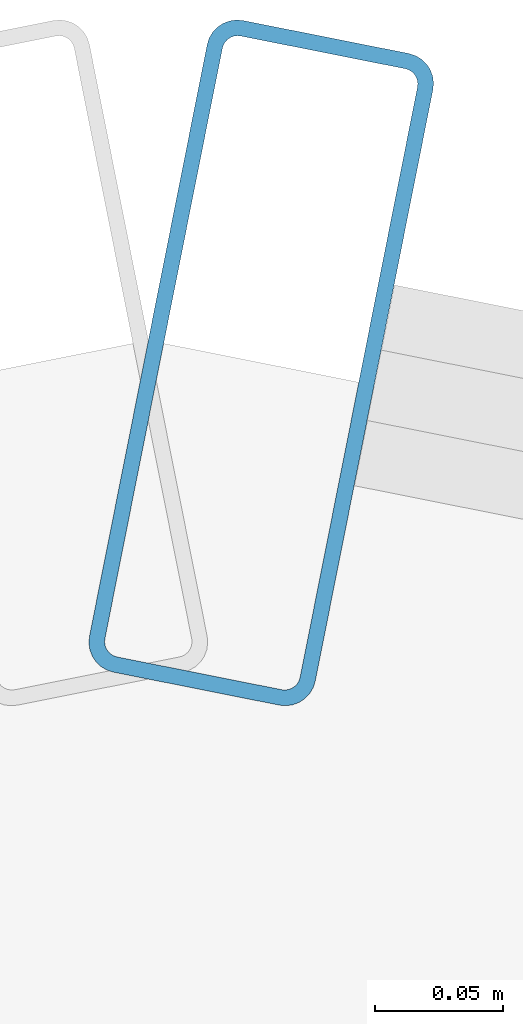
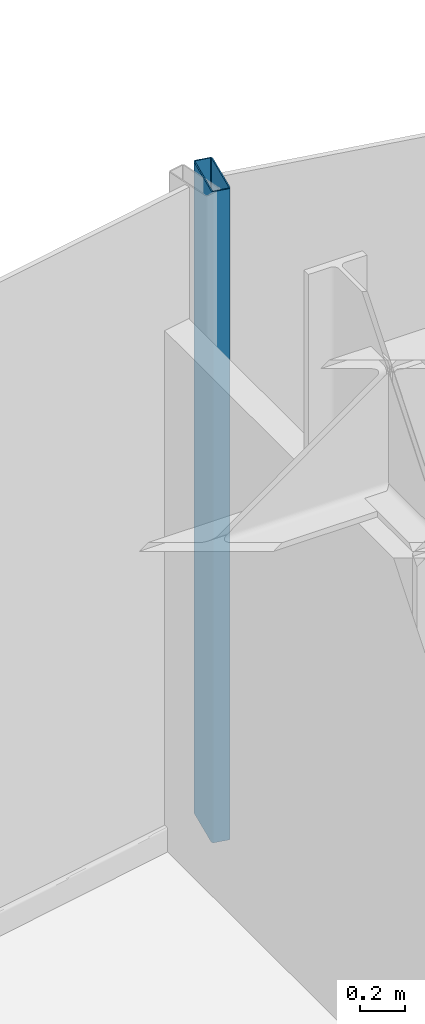
# One storey, part 15 of 25: 1 member, 1 element without a shape of its own.
"""IFC4 building model written with IfcOpenShell, lengths in metres."""

import ifcopenshell
import ifcopenshell.guid

model = None  # the IFC model being written
_history = None  # IfcOwnerHistory: only IFC2X3 demands one
_inside = {}  # id of a spatial element -> (the spatial element, [elements in it])
_under = {}  # id of a project, library or spatial element -> (it, [spatial elements below it])
_declared = {}  # id of a project -> (the project, [libraries it declares])
_typed = {}  # id of a type object -> (the type object, [elements of that type])
_made_of = {}  # id of a material, layer set ... -> (it, [elements and type objects made of it])


def new_model(schema):
    """Start an empty IFC model of exactly this schema.

    Asked for "IFC4X3", IfcOpenShell would pick the latest addendum, in which some entities
    have other attributes; the version numbers below select the first issue.
    IFC2X3 requires an IfcOwnerHistory on every rooted entity: one is made here for all.
    """
    global model, _history
    if schema == "IFC4X3":
        model = ifcopenshell.file(schema_version=(4, 3, 0, 0))
    else:
        model = ifcopenshell.file(schema=schema)
    _inside.clear()
    _under.clear()
    _declared.clear()
    _typed.clear()
    _made_of.clear()
    _history = None
    if model.schema == "IFC2X3":
        org = make("IfcOrganization", Name="unknown")
        user = make(
            "IfcPersonAndOrganization",
            ThePerson=make("IfcPerson", FamilyName="unknown"),
            TheOrganization=org,
        )
        app = make(
            "IfcApplication",
            ApplicationDeveloper=org,
            Version="unknown",
            ApplicationFullName="unknown",
            ApplicationIdentifier="unknown",
        )
        _history = make(
            "IfcOwnerHistory",
            OwningUser=user,
            OwningApplication=app,
            ChangeAction="ADDED",
            CreationDate=0,
        )
    return model


def make(cls, **values):
    """One entity of the class cls with the attributes given. An attribute that is None is left unset."""
    return model.create_entity(
        cls, **{name: value for name, value in values.items() if value is not None}
    )


def rooted(cls, **values):
    """An entity with a GlobalId (a new one), such as an element, a storey or a relation."""
    return make(cls, GlobalId=ifcopenshell.guid.new(), OwnerHistory=_history, **values)


def si_unit(unit_type, name, prefix=None):
    """IfcSIUnit, for example si_unit("LENGTHUNIT", "METRE", prefix="MILLI")."""
    return make("IfcSIUnit", UnitType=unit_type, Prefix=prefix, Name=name)


def assignment(units):
    """IfcUnitAssignment: the units of a project."""
    return None if units is None else make("IfcUnitAssignment", Units=units)


def point(xyz):
    """IfcCartesianPoint."""
    return None if xyz is None else make("IfcCartesianPoint", Coordinates=xyz)


def direction(xyz):
    """IfcDirection."""
    return None if xyz is None else make("IfcDirection", DirectionRatios=xyz)


def frame(location, z_axis=None, x_axis=None):
    """IfcAxis2Placement3D, a coordinate frame: its origin and axes. An axis left out is left unset."""
    return make(
        "IfcAxis2Placement3D",
        Location=point(location),
        Axis=direction(z_axis),
        RefDirection=direction(x_axis),
    )


def frame_2d(location, x_axis=None):
    """IfcAxis2Placement2D, a coordinate frame in the plane: its origin and x axis."""
    return make(
        "IfcAxis2Placement2D", Location=point(location), RefDirection=direction(x_axis)
    )


def origin():
    """The frame at (0, 0, 0) with its axes left unset."""
    return frame((0.0, 0.0, 0.0))


def origin_2d():
    """The frame at (0, 0) in the plane with its x axis left unset."""
    return frame_2d((0.0, 0.0))


def place(relative_to, where):
    """IfcLocalPlacement: puts the frame where relative to a parent placement (None: the world)."""
    return make(
        "IfcLocalPlacement", PlacementRelTo=relative_to, RelativePlacement=where
    )


def context(
    kind, dimensions, precision=None, world=None, true_north=None, identifier=None
):
    """IfcGeometricRepresentationContext, for example the 3D "Model" context."""
    return make(
        "IfcGeometricRepresentationContext",
        ContextIdentifier=identifier,
        ContextType=kind,
        CoordinateSpaceDimension=dimensions,
        Precision=precision,
        WorldCoordinateSystem=world,
        TrueNorth=true_north,
    )


def subcontext(parent, identifier, kind, view, scale=None):
    """IfcGeometricRepresentationSubContext, for example "Body" below "Model"."""
    return make(
        "IfcGeometricRepresentationSubContext",
        ContextIdentifier=identifier,
        ContextType=kind,
        ParentContext=parent,
        TargetScale=scale,
        TargetView=view,
    )


def project(units=None, contexts=None):
    """IfcProject with its units and contexts."""
    return rooted(
        "IfcProject",
        Name="project",
        RepresentationContexts=contexts,
        UnitsInContext=assignment(units),
    )


def spatial(cls, under=None, at=None, **own):
    """A site, building, storey or space (cls), placed at a placement, below another one or the project."""
    s = rooted(cls, ObjectPlacement=at, **own)
    if under is not None:
        _under.setdefault(under.id(), (under, []))[1].append(s)
    return s


def profile(cls, at=None, kind="AREA", **sizes):
    """A parametric profile (cls). Its sizes go by their IFC names, for example OverallWidth=200.0."""
    return make(cls, ProfileType=kind, Position=at, **sizes)


def hollow_rectangle(**sizes):
    """IfcRectangleHollowProfileDef."""
    return profile("IfcRectangleHollowProfileDef", **sizes)


def extrude(swept, where, along, depth):
    """IfcExtrudedAreaSolid: the profile swept, set in the frame where, extruded along a direction by depth."""
    return make(
        "IfcExtrudedAreaSolid",
        SweptArea=swept,
        Position=where,
        ExtrudedDirection=direction(along),
        Depth=depth,
    )


def shape(context_of_items, identifier, shape_type, items):
    """IfcShapeRepresentation: the items that make up one representation, for example the "Body"."""
    return make(
        "IfcShapeRepresentation",
        ContextOfItems=context_of_items,
        RepresentationIdentifier=identifier,
        RepresentationType=shape_type,
        Items=items,
    )


def source(mapping_origin, context_of_items, identifier, shape_type, items):
    """IfcRepresentationMap: a shape defined once, which mapped items show again and again."""
    return make(
        "IfcRepresentationMap",
        MappingOrigin=mapping_origin,
        MappedRepresentation=shape(context_of_items, identifier, shape_type, items),
    )


def transform(
    local_origin,
    x_axis=None,
    y_axis=None,
    z_axis=None,
    scale=None,
    scale2=None,
    scale3=None,
    uniform=True,
):
    """IfcCartesianTransformationOperator3D, or its non-uniform kind. x_axis, y_axis, z_axis: its Axis1, 2, 3."""
    if uniform:
        return make(
            "IfcCartesianTransformationOperator3D",
            Axis1=direction(x_axis),
            Axis2=direction(y_axis),
            LocalOrigin=point(local_origin),
            Scale=scale,
            Axis3=direction(z_axis),
        )
    return make(
        "IfcCartesianTransformationOperator3DnonUniform",
        Axis1=direction(x_axis),
        Axis2=direction(y_axis),
        LocalOrigin=point(local_origin),
        Scale=scale,
        Axis3=direction(z_axis),
        Scale2=scale2,
        Scale3=scale3,
    )


def mapped(mapping_source, mapping_target):
    """IfcMappedItem: shows the shape of a source again, moved by a transform."""
    return make(
        "IfcMappedItem", MappingSource=mapping_source, MappingTarget=mapping_target
    )


def material(Name=None, Category=None):
    """IfcMaterial."""
    return make("IfcMaterial", Name=Name, Category=Category)


def layer(
    of_material, thickness, ventilated=None, Name=None, Category=None, Priority=None
):
    """IfcMaterialLayer: one layer of a wall or slab, of a material (None: an air gap)."""
    return make(
        "IfcMaterialLayer",
        Material=of_material,
        LayerThickness=thickness,
        IsVentilated=ventilated,
        Name=Name,
        Category=Category,
        Priority=Priority,
    )


def layer_set(layers, Name=None):
    """IfcMaterialLayerSet."""
    return make("IfcMaterialLayerSet", MaterialLayers=layers, LayerSetName=Name)


def material_profile(
    of_material, cross_section, Name=None, Category=None, Priority=None
):
    """IfcMaterialProfile: a cross section and its material."""
    return make(
        "IfcMaterialProfile",
        Name=Name,
        Material=of_material,
        Profile=cross_section,
        Priority=Priority,
        Category=Category,
    )


def profile_set(profiles, Name=None, composite=None):
    """IfcMaterialProfileSet."""
    return make(
        "IfcMaterialProfileSet",
        Name=Name,
        MaterialProfiles=profiles,
        CompositeProfile=composite,
    )


def made_of(thing, what):
    """Note that an element or type object is made of a material, layer set ...; save() writes the relation."""
    if what is not None:
        _made_of.setdefault(what.id(), (what, []))[1].append(thing)
    return thing


def type_object(cls, material=None, **own):
    """A type object (cls), such as IfcWallType, which elements share."""
    return made_of(rooted(cls, **own), material)


def element(
    cls,
    number,
    at=None,
    inside=None,
    cuts=None,
    type_object=None,
    material=None,
    context=None,
    identifier="Body",
    shape_type=None,
    held_by="IfcProductDefinitionShape",
    body=None,
    shapes=None,
    **own,
):
    """One element of the class cls, such as IfcWall. Its Tag is "e" and its number.

    at: its placement. inside: the storey or other place that contains it. cuts: it is an
    opening in that element (IfcRelVoidsElement). A single representation is given by context,
    identifier, shape_type and body (its items); several are given by shapes. held_by: the class
    of the entity that holds the representations. save() writes the other relations.
    """
    e = rooted(cls, Tag="e%d" % number, ObjectPlacement=at, **own)
    if body is not None:
        shapes = [shape(context, identifier, shape_type, body)]
    if shapes is not None:
        e.Representation = make(held_by, Representations=shapes)
    if inside is not None:
        _inside.setdefault(inside.id(), (inside, []))[1].append(e)
    if cuts is not None:
        rooted(
            "IfcRelVoidsElement", RelatingBuildingElement=cuts, RelatedOpeningElement=e
        )
    if type_object is not None:
        _typed.setdefault(type_object.id(), (type_object, []))[1].append(e)
    return made_of(e, material)


def aggregate(whole, parts):
    """IfcRelAggregates: a whole, such as a stair, and the parts it consists of."""
    return rooted("IfcRelAggregates", RelatingObject=whole, RelatedObjects=parts)


def save(model, path):
    """Write the relations noted so far, then the file.

    IfcRelAggregates (storeys below a building ...), IfcRelContainedInSpatialStructure (elements
    in a storey), IfcRelDefinesByType, IfcRelAssociatesMaterial and IfcRelDeclares: one each for
    every whole, place, type object, material and project.
    """
    for whole, parts in _under.values():
        aggregate(whole, parts)
    for where, things in _inside.values():
        rooted(
            "IfcRelContainedInSpatialStructure",
            RelatedElements=things,
            RelatingStructure=where,
        )
    for kind, things in _typed.values():
        rooted("IfcRelDefinesByType", RelatedObjects=things, RelatingType=kind)
    for what, things in _made_of.values():
        rooted("IfcRelAssociatesMaterial", RelatedObjects=things, RelatingMaterial=what)
    for by, libraries in _declared.values():
        rooted("IfcRelDeclares", RelatingContext=by, RelatedDefinitions=libraries)
    model.write(path)


model = new_model("IFC4")

# Units and contexts
model_context = context("Model", 3, precision=1e-05, world=origin(), true_north=direction((0.0, 1.0)))
body_context = subcontext(model_context, "Body", "Model", "MODEL_VIEW")
ifc_project = project(units=[si_unit("LENGTHUNIT", "METRE"), si_unit("AREAUNIT", "SQUARE_METRE"), si_unit("VOLUMEUNIT", "CUBIC_METRE"), si_unit("PLANEANGLEUNIT", "RADIAN"), si_unit("MASSUNIT", "GRAM", prefix="KILO")], contexts=[model_context])

# Site, building, storey
site_placement = place(None, origin())
site = spatial("IfcSite", under=ifc_project, at=site_placement, CompositionType="ELEMENT")
building_placement = place(site_placement, origin())
building = spatial("IfcBuilding", under=site, at=building_placement, Name="Nefas-Gora Pilgrimage Tower", CompositionType="ELEMENT")
storey_placement = place(building_placement, frame((0.0, 0.0, 98.39990234375)))
storey = spatial("IfcBuildingStorey", under=building, at=storey_placement, Name="L23", CompositionType="ELEMENT", Elevation=98.39990234375)

# Curtain wall, member
ifc_material_1 = material(Name="Dark ceramic-fritted solar-control aluminium-glass curtain wall", Category="aluminium")
ifc_layer = layer(ifc_material_1, 0.219970703125)
ifc_layer_set = layer_set([ifc_layer], Name="Dark ceramic-fritted solar-control aluminium-glass curtain wall")
curtain_wall_type = type_object("IfcCurtainWallType", Name="CW-SYS-5", PredefinedType="NOTDEFINED", material=ifc_layer_set)
curtain_wall_placement = place(storey_placement, origin())
curtain_wall = element("IfcCurtainWall", 1, at=curtain_wall_placement, inside=storey, type_object=curtain_wall_type, Name="L23 Unitised Curtain Wall CW5", PredefinedType="NOTDEFINED")
ifc_material_2 = material(Name="Anodised architectural aluminium", Category="aluminium")
ifc_material_profile = material_profile(ifc_material_2, hollow_rectangle(XDim=0.090087890625, YDim=0.260009765625, WallThickness=0.006103515625, InnerFilletRadius=0.006103515625, OuterFilletRadius=0.011962890625, at=origin_2d()), Name="ALU MULLION 90x260")
ifc_profile_set = profile_set([ifc_material_profile], Name="Anodised architectural aluminium")
member_type = type_object("IfcMemberType", Name="CWM-MUL-5", PredefinedType="MULLION", material=ifc_profile_set)
shared_shape = source(origin(), body_context, "Body", "SweptSolid", [
    extrude(hollow_rectangle(XDim=0.090087890625, YDim=0.260009765625, WallThickness=0.006103515625, InnerFilletRadius=0.006103515625, OuterFilletRadius=0.011962890625, at=origin_2d()), origin(), (0.0, 0.0, 1.0), 3.550048828125),
])
member_placement = place(storey_placement, frame((-2.205810546875, 24.16357421875, 0.0), z_axis=(0.0, 0.0, 1.0), x_axis=(-0.980782896852, 0.195102304554, 0.0)))
member = element("IfcMember", 2, at=member_placement, type_object=member_type, Name="CW5 Mullion 2", PredefinedType="MULLION", context=body_context, shape_type="MappedRepresentation", body=[
    mapped(shared_shape, transform((0.0, 0.0, 0.0), x_axis=(1.0, 0.0, 0.0), y_axis=(0.0, 1.0, 0.0), z_axis=(0.0, 0.0, 1.0), scale=1.0)),
])
aggregate(curtain_wall, [member])

save(model, "model.ifc")
